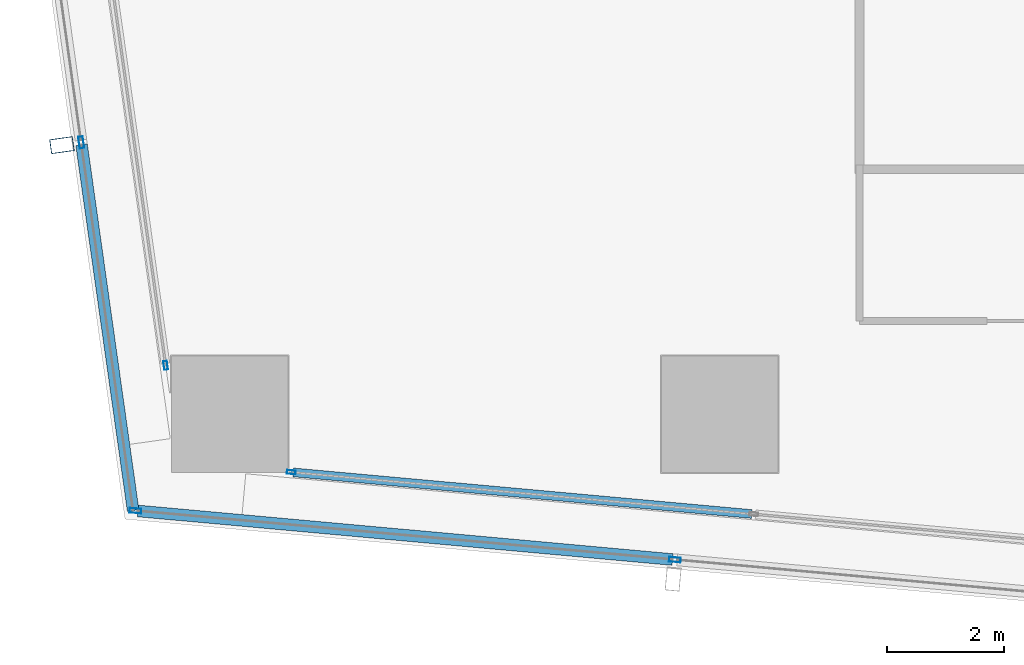
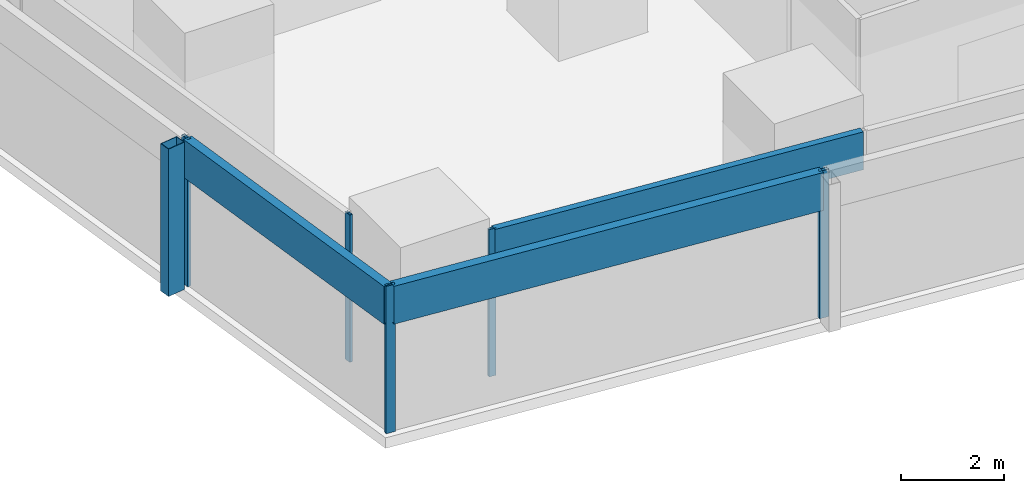
# One storey, part 2 of 39: 9 members, 4 elements without a shape of their own.
"""IFC4 building model written with IfcOpenShell, lengths in metres."""

from ifc_helpers import new_model, si_unit, direction, frame, origin, origin_2d, place, context, subcontext, project, spatial, hollow_rectangle, extrude, material, material_profile, profile_set, type_object, element, aggregate, save


model = new_model("IFC4")

# Units and contexts
model_context = context("Model", 3, precision=1e-05, world=origin(), true_north=direction((0.0, 1.0)))
body_context = subcontext(model_context, "Body", "Model", "MODEL_VIEW")
ifc_project = project(units=[si_unit("LENGTHUNIT", "METRE"), si_unit("AREAUNIT", "SQUARE_METRE"), si_unit("VOLUMEUNIT", "CUBIC_METRE"), si_unit("PLANEANGLEUNIT", "RADIAN"), si_unit("MASSUNIT", "GRAM", prefix="KILO")], contexts=[model_context])

# Site, building, storey
site_placement = place(None, origin())
site = spatial("IfcSite", under=ifc_project, at=site_placement, CompositionType="ELEMENT")
building_placement = place(site_placement, origin())
building = spatial("IfcBuilding", under=site, at=building_placement, Name="Rekha Terrace Tower", CompositionType="ELEMENT")
storey_placement = place(building_placement, frame((0.0, 0.0, 151.550048828125)))
storey = spatial("IfcBuildingStorey", under=building, at=storey_placement, Name="L38", CompositionType="ELEMENT", Elevation=151.550048828125)

# Curtain wall, member
ifc_material_1 = material(Name="Aluminium framing", Category="aluminium")
curtain_wall_type_1 = type_object("IfcCurtainWallType", Name="CW2 double skin outer glazing", PredefinedType="USERDEFINED", material=ifc_material_1)
curtain_wall_1_placement = place(storey_placement, origin())
curtain_wall_1 = element("IfcCurtainWall", 1, at=curtain_wall_1_placement, inside=storey, type_object=curtain_wall_type_1, Name="CW2 double skin outer glazing", ObjectType="DOUBLE SKIN OUTER GLAZING", PredefinedType="USERDEFINED")
ifc_material_2 = material(Name="Steel S355 with fluorocarbon finish", Category="steel")
ifc_material_profile_1 = material_profile(ifc_material_2, hollow_rectangle(XDim=0.25, YDim=0.39990234375, WallThickness=0.012451171875, at=origin_2d()), Name="RHS400x250x12.5")
ifc_profile_set_1 = profile_set([ifc_material_profile_1], Name="Steel S355 with fluorocarbon finish")
member_type_1 = type_object("IfcMemberType", Name="BL1 facade blade RHS 400 x 250", PredefinedType="USERDEFINED", material=ifc_profile_set_1)
member_1_placement = place(storey_placement, frame((5.51904296875, 21.41455078125, 0.0), z_axis=(0.0, 0.0, 1.0), x_axis=(0.139596532461, -0.990208467003, 0.0)))
member_1 = element("IfcMember", 2, at=member_1_placement, type_object=member_type_1, Name="Facade blade", ObjectType="FACADE BLADE", PredefinedType="USERDEFINED", context=body_context, shape_type="SweptSolid", body=[
    extrude(hollow_rectangle(XDim=0.25, YDim=0.39990234375, WallThickness=0.012451171875, at=origin_2d()), origin(), (0.0, 0.0, 1.0), 3.5),
])

curtain_wall_type_2 = type_object("IfcCurtainWallType", Name="CW1 double skin inner glazing", PredefinedType="USERDEFINED", material=ifc_material_1)
curtain_wall_2_placement = place(storey_placement, origin())
curtain_wall_2 = element("IfcCurtainWall", 3, at=curtain_wall_2_placement, inside=storey, type_object=curtain_wall_type_2, Name="CW1 double skin inner glazing", ObjectType="DOUBLE SKIN INNER GLAZING", PredefinedType="USERDEFINED")
ifc_material_3 = material(Name="Aluminium mullion section", Category="aluminium")
ifc_material_profile_2 = material_profile(ifc_material_3, hollow_rectangle(XDim=0.06494140625, YDim=0.14990234375, WallThickness=0.00390625, at=origin_2d()), Name="AL RHS 65x150")
ifc_profile_set_2 = profile_set([ifc_material_profile_2], Name="Aluminium mullion section")
member_type_2 = type_object("IfcMemberType", Name="CW1 mullion RHS 65 x 150", PredefinedType="MULLION", material=ifc_profile_set_2)
member_2_placement = place(storey_placement, frame((9.453125, 15.80517578125, 0.0), z_axis=(0.0, 0.0, 1.0), x_axis=(0.090439811381, 0.995901923142, 0.0)))
member_2 = element("IfcMember", 4, at=member_2_placement, type_object=member_type_2, Name="CW1 mullion 1", PredefinedType="MULLION", context=body_context, shape_type="SweptSolid", body=[
    extrude(hollow_rectangle(XDim=0.06494140625, YDim=0.14990234375, WallThickness=0.00390625, at=origin_2d()), origin(), (0.0, 0.0, 1.0), 3.5),
])

curtain_wall_3_placement = place(storey_placement, origin())
curtain_wall_3 = element("IfcCurtainWall", 5, at=curtain_wall_3_placement, inside=storey, type_object=curtain_wall_type_2, Name="CW1 double skin inner glazing", ObjectType="DOUBLE SKIN INNER GLAZING", PredefinedType="USERDEFINED")
member_3_placement = place(storey_placement, frame((7.298583984375, 17.637939453125, 0.0), z_axis=(0.0, 0.0, 1.0), x_axis=(0.990208394312, 0.139597048082, 0.0)))
member_3 = element("IfcMember", 6, at=member_3_placement, type_object=member_type_2, Name="CW1 mullion 2", PredefinedType="MULLION", context=body_context, shape_type="SweptSolid", body=[
    extrude(hollow_rectangle(XDim=0.06494140625, YDim=0.14990234375, WallThickness=0.00390625, at=origin_2d()), origin(), (0.0, 0.0, 1.0), 3.5),
])
aggregate(curtain_wall_3, [member_3])

# Member
ifc_material_4 = material(Name="Insulated aluminium spandrel box", Category="aluminium")
ifc_material_profile_3 = material_profile(ifc_material_4, hollow_rectangle(XDim=0.14990234375, YDim=0.89990234375, WallThickness=0.0029296875, at=origin_2d()), Name="AL SPANDREL BOX 150x900")
ifc_profile_set_3 = profile_set([ifc_material_profile_3], Name="Insulated aluminium spandrel box")
member_type_3 = type_object("IfcMemberType", Name="CW1 spandrel transom 150 x 900", PredefinedType="USERDEFINED", material=ifc_profile_set_3)
member_4_placement = place(storey_placement, frame((9.485595703125, 15.80224609375, 3.050048828125), z_axis=(0.995901816063, -0.090440990497, 0.0), x_axis=(0.090440990497, 0.995901816063, 0.0)))
member_4 = element("IfcMember", 7, at=member_4_placement, type_object=member_type_3, Name="CW1 spandrel transom 1", ObjectType="TRANSOM", PredefinedType="USERDEFINED", context=body_context, shape_type="SweptSolid", body=[
    extrude(hollow_rectangle(XDim=0.14990234375, YDim=0.89990234375, WallThickness=0.0029296875, at=origin_2d()), origin(), (0.0, 0.0, 1.0), 7.898681640625),
])

aggregate(curtain_wall_2, [member_2, member_4])

# Curtain wall, members
curtain_wall_4_placement = place(storey_placement, origin())
curtain_wall_4 = element("IfcCurtainWall", 8, at=curtain_wall_4_placement, inside=storey, type_object=curtain_wall_type_1, Name="CW2 double skin outer glazing", ObjectType="DOUBLE SKIN OUTER GLAZING", PredefinedType="USERDEFINED")
ifc_material_profile_4 = material_profile(ifc_material_3, hollow_rectangle(XDim=0.080078125, YDim=0.199951171875, WallThickness=0.00390625, at=origin_2d()), Name="AL RHS 80x200")
ifc_profile_set_4 = profile_set([ifc_material_profile_4], Name="Aluminium mullion section")
member_type_4 = type_object("IfcMemberType", Name="CW2 mullion RHS 80 x 200", PredefinedType="MULLION", material=ifc_profile_set_4)
member_5_placement = place(storey_placement, frame((6.780517578125, 15.144287109375, 0.0), z_axis=(0.0, 0.0, 1.0), x_axis=(0.090439811433, 0.995901923137, 0.0)))
member_5 = element("IfcMember", 9, at=member_5_placement, type_object=member_type_4, Name="CW2 mullion 1", PredefinedType="MULLION", context=body_context, shape_type="SweptSolid", body=[
    extrude(hollow_rectangle(XDim=0.080078125, YDim=0.199951171875, WallThickness=0.00390625, at=origin_2d()), origin(), (0.0, 0.0, 1.0), 3.5),
])
member_6_placement = place(storey_placement, frame((16.032470703125, 14.30419921875, 0.0), z_axis=(0.0, 0.0, 1.0), x_axis=(0.090439811433, 0.995901923137, 0.0)))
member_6 = element("IfcMember", 10, at=member_6_placement, type_object=member_type_4, Name="CW2 mullion 2", PredefinedType="MULLION", context=body_context, shape_type="SweptSolid", body=[
    extrude(hollow_rectangle(XDim=0.080078125, YDim=0.199951171875, WallThickness=0.00390625, at=origin_2d()), origin(), (0.0, 0.0, 1.0), 3.5),
])

# Member
member_7_placement = place(storey_placement, frame((5.8505859375, 21.46142578125, 0.0), z_axis=(0.0, 0.0, 1.0), x_axis=(0.990208394312, 0.139597048082, 0.0)))
member_7 = element("IfcMember", 11, at=member_7_placement, type_object=member_type_4, Name="CW2 mullion 2", PredefinedType="MULLION", context=body_context, shape_type="SweptSolid", body=[
    extrude(hollow_rectangle(XDim=0.080078125, YDim=0.199951171875, WallThickness=0.00390625, at=origin_2d()), origin(), (0.0, 0.0, 1.0), 3.5),
])

ifc_material_profile_5 = material_profile(ifc_material_4, hollow_rectangle(XDim=0.199951171875, YDim=0.89990234375, WallThickness=0.0029296875, at=origin_2d()), Name="AL SPANDREL BOX 200x900")
ifc_profile_set_5 = profile_set([ifc_material_profile_5], Name="Insulated aluminium spandrel box")
member_type_5 = type_object("IfcMemberType", Name="CW2 spandrel transom 200 x 900", PredefinedType="USERDEFINED", material=ifc_profile_set_5)
member_8_placement = place(storey_placement, frame((6.8203125, 15.140625, 3.050048828125), z_axis=(0.995901458883, -0.090444923548, 0.0), x_axis=(0.090444923548, 0.995901458883, 0.0)))
member_8 = element("IfcMember", 12, at=member_8_placement, type_object=member_type_5, Name="CW2 spandrel transom 1", ObjectType="TRANSOM", PredefinedType="USERDEFINED", context=body_context, shape_type="SweptSolid", body=[
    extrude(hollow_rectangle(XDim=0.199951171875, YDim=0.89990234375, WallThickness=0.0029296875, at=origin_2d()), origin(), (0.0, 0.0, 1.0), 9.210205078125),
])

aggregate(curtain_wall_4, [member_5, member_6, member_8])

member_9_placement = place(storey_placement, frame((5.856201171875, 21.421875, 3.050048828125), z_axis=(0.139603155616, -0.990207533269, 0.0), x_axis=(0.990207533269, 0.139603155616, 0.0)))
member_9 = element("IfcMember", 13, at=member_9_placement, type_object=member_type_5, Name="CW2 spandrel transom 2", ObjectType="TRANSOM", PredefinedType="USERDEFINED", context=body_context, shape_type="SweptSolid", body=[
    extrude(hollow_rectangle(XDim=0.199951171875, YDim=0.89990234375, WallThickness=0.0029296875, at=origin_2d()), origin(), (0.0, 0.0, 1.0), 6.3359375),
])

aggregate(curtain_wall_1, [member_7, member_9, member_1])

save(model, "model.ifc")
